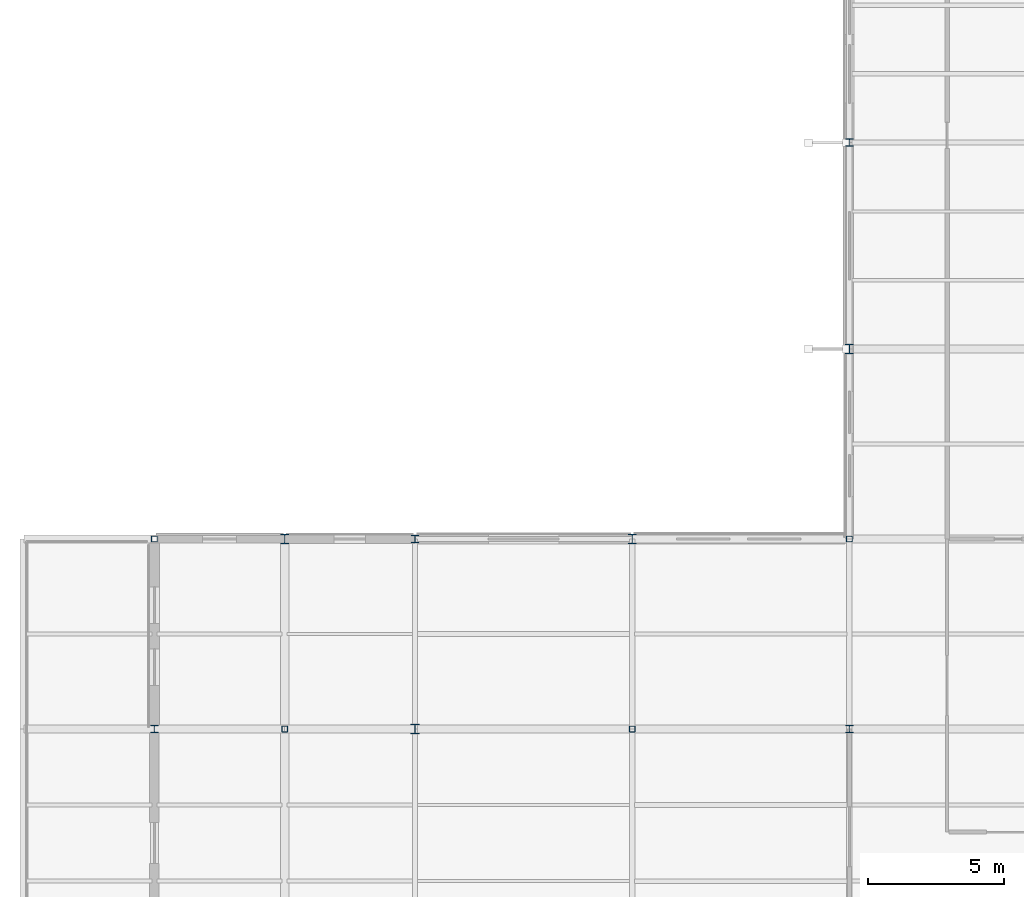
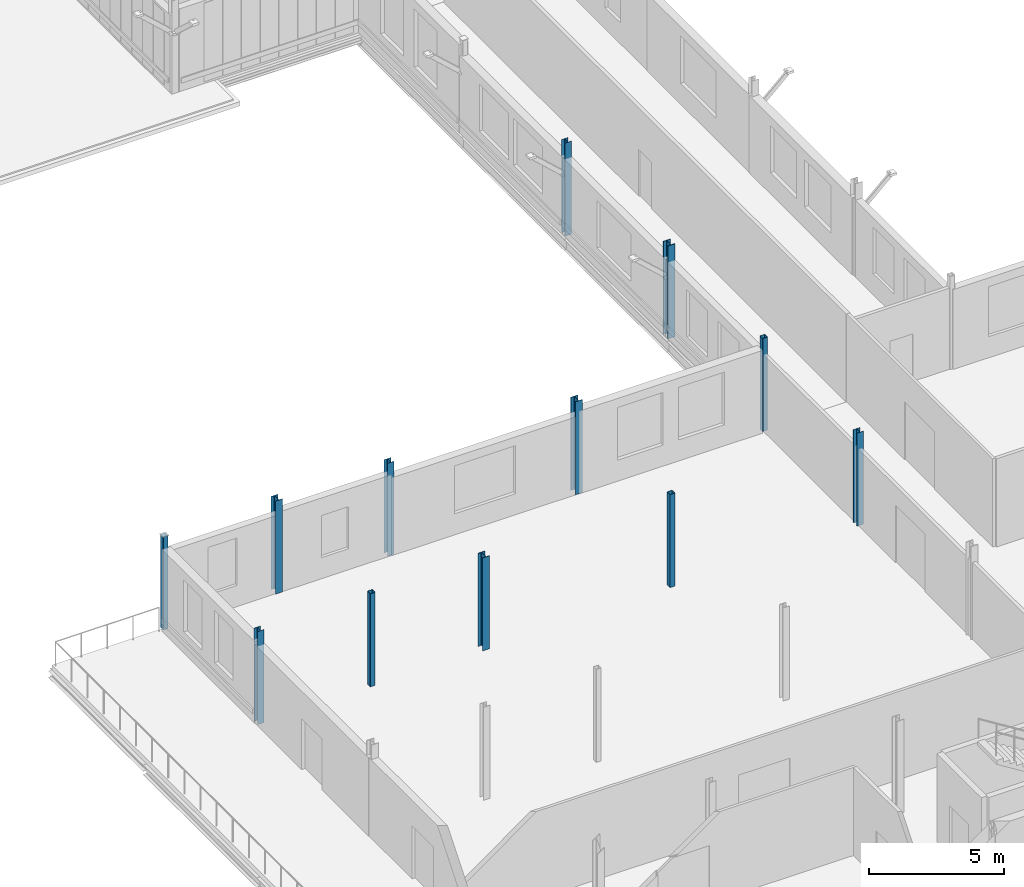
# One storey, part 3 of 101: 12 columns.
"""IFC4 building model written with IfcOpenShell, lengths in metres."""

from ifc_helpers import new_model, si_unit, direction, frame, origin, origin_2d, place, context, subcontext, project, spatial, hollow_rectangle, i_section, extrude, material, material_profile, profile_set, type_object, element, save


model = new_model("IFC4")

# Units and contexts
model_context = context("Model", 3, precision=1e-05, world=origin(), true_north=direction((0.0, 1.0)))
body_context = subcontext(model_context, "Body", "Model", "MODEL_VIEW")
ifc_project = project(units=[si_unit("LENGTHUNIT", "METRE"), si_unit("AREAUNIT", "SQUARE_METRE"), si_unit("VOLUMEUNIT", "CUBIC_METRE"), si_unit("PLANEANGLEUNIT", "RADIAN"), si_unit("MASSUNIT", "GRAM", prefix="KILO")], contexts=[model_context])

# Site, building, storey
site_placement = place(None, origin())
site = spatial("IfcSite", under=ifc_project, at=site_placement, CompositionType="ELEMENT")
building_placement = place(site_placement, origin())
building = spatial("IfcBuilding", under=site, at=building_placement, Name="Vekula Escarpment Museum", CompositionType="ELEMENT")
storey_placement = place(building_placement, frame((0.0, 0.0, 18.0)))
storey = spatial("IfcBuildingStorey", under=building, at=storey_placement, Name="L04", CompositionType="ELEMENT", Elevation=18.0)

# Columns
ifc_material_1 = material(Name="Steel S355", Category="steel")
ifc_material_profile_1 = material_profile(ifc_material_1, i_section(OverallWidth=0.280029296875, OverallDepth=0.27001953125, WebThickness=0.008056640625, FlangeThickness=0.012939453125, FilletRadius=0.02392578125, at=origin_2d()), Name="HEA 280")
ifc_profile_set_1 = profile_set([ifc_material_profile_1], Name="Steel S355")
column_type_1 = type_object("IfcColumnType", Name="COL-S-HEA280", PredefinedType="COLUMN", material=ifc_profile_set_1)
for number, where, z_axis, x_axis, name in (
    (1, (14.39990234375, 76.39990234375, 0.0), (0.0, 0.0, 1.0), (1.0, 0.0, 0.0), "Column L04 (14.4,76.4)"),
    (2, (24.0, 83.39990234375, 0.0), (0.0, 0.0, 1.0), (1.0, 0.0, 0.0), "Column L04 (24.0,83.4)"),
    (3, (40.0, 76.39990234375, 0.0), (0.0, 0.0, 1.0), (1.0, 0.0, 0.0), "Column L04 (40.0,76.4)"),
    (4, (40.0, 98.0, 0.0), (0.0, 0.0, 1.0), (1.0, 0.0, 0.0), "Column L04 (40.0,98.0)"),
):
    element("IfcColumn", number, at=place(storey_placement, frame(where, z_axis=z_axis, x_axis=x_axis)), inside=storey, type_object=column_type_1, Name=name, PredefinedType="COLUMN", context=body_context, shape_type="SweptSolid", body=[
        extrude(i_section(OverallWidth=0.280029296875, OverallDepth=0.27001953125, WebThickness=0.008056640625, FlangeThickness=0.012939453125, FilletRadius=0.02392578125, at=origin_2d()), origin(), (0.0, 0.0, 1.0), 4.199951171875),
    ])
ifc_material_2 = material(Name="Steel S355", Category="steel")
ifc_material_profile_2 = material_profile(ifc_material_2, i_section(OverallWidth=0.300048828125, OverallDepth=0.360107421875, WebThickness=0.012451171875, FlangeThickness=0.0224609375, FilletRadius=0.027099609375, at=origin_2d()), Name="HEB 360")
ifc_profile_set_2 = profile_set([ifc_material_profile_2], Name="Steel S355")
column_type_2 = type_object("IfcColumnType", Name="COL-S-HEB360", PredefinedType="COLUMN", material=ifc_profile_set_2)
for number, where, z_axis, x_axis, name in (
    (5, (19.199951171875, 83.39990234375, 0.0), (0.0, 0.0, 1.0), (1.0, 0.0, 0.0), "Column L04 (19.2,83.4)"),
    (6, (24.0, 76.39990234375, 0.0), (0.0, 0.0, 1.0), (1.0, 0.0, 0.0), "Column L04 (24.0,76.4)"),
    (7, (32.0, 83.39990234375, 0.0), (0.0, 0.0, 1.0), (1.0, 0.0, 0.0), "Column L04 (32.0,83.4)"),
    (8, (40.0, 90.39990234375, 0.0), (0.0, 0.0, 1.0), (1.0, 0.0, 0.0), "Column L04 (40.0,90.4)"),
):
    element("IfcColumn", number, at=place(storey_placement, frame(where, z_axis=z_axis, x_axis=x_axis)), inside=storey, type_object=column_type_2, Name=name, PredefinedType="COLUMN", context=body_context, shape_type="SweptSolid", body=[
        extrude(i_section(OverallWidth=0.300048828125, OverallDepth=0.360107421875, WebThickness=0.012451171875, FlangeThickness=0.0224609375, FilletRadius=0.027099609375, at=origin_2d()), origin(), (0.0, 0.0, 1.0), 4.199951171875),
    ])
ifc_material_3 = material(Name="Steel S355", Category="steel")
ifc_material_profile_3 = material_profile(ifc_material_3, hollow_rectangle(XDim=0.219970703125, YDim=0.219970703125, WallThickness=0.011962890625, InnerFilletRadius=0.011962890625, OuterFilletRadius=0.02392578125, at=origin_2d()), Name="SHS 220x220x12")
ifc_profile_set_3 = profile_set([ifc_material_profile_3], Name="Steel S355")
column_type_3 = type_object("IfcColumnType", Name="COL-S-SHS220", PredefinedType="COLUMN", material=ifc_profile_set_3)
for number, where, z_axis, x_axis, name in (
    (9, (14.39990234375, 83.39990234375, 0.0), (0.0, 0.0, 1.0), (1.0, 0.0, 0.0), "Column L04 (14.4,83.4)"),
    (10, (19.199951171875, 76.39990234375, 0.0), (0.0, 0.0, 1.0), (1.0, 0.0, 0.0), "Column L04 (19.2,76.4)"),
    (11, (32.0, 76.39990234375, 0.0), (0.0, 0.0, 1.0), (1.0, 0.0, 0.0), "Column L04 (32.0,76.4)"),
    (12, (40.0, 83.39990234375, 0.0), (0.0, 0.0, 1.0), (1.0, 0.0, 0.0), "Column L04 (40.0,83.4)"),
):
    element("IfcColumn", number, at=place(storey_placement, frame(where, z_axis=z_axis, x_axis=x_axis)), inside=storey, type_object=column_type_3, Name=name, PredefinedType="COLUMN", context=body_context, shape_type="SweptSolid", body=[
        extrude(hollow_rectangle(XDim=0.219970703125, YDim=0.219970703125, WallThickness=0.011962890625, InnerFilletRadius=0.011962890625, OuterFilletRadius=0.02392578125, at=origin_2d()), origin(), (0.0, 0.0, 1.0), 4.199951171875),
    ])

save(model, "model.ifc")
